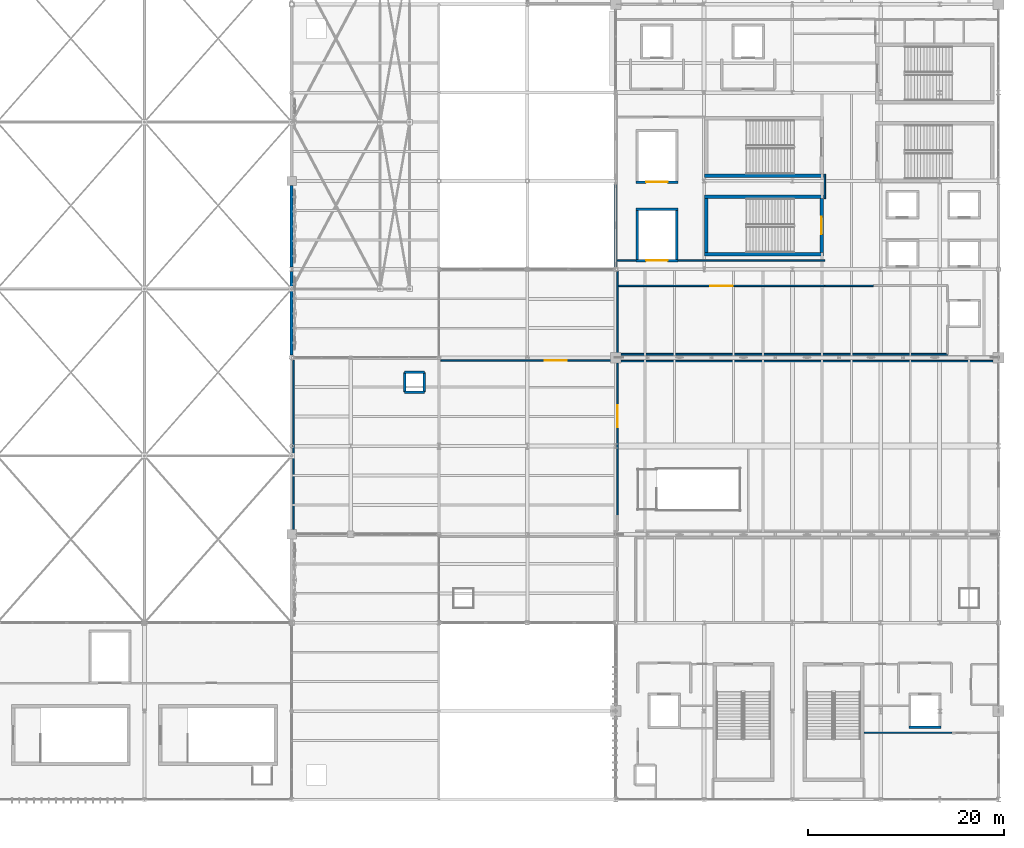
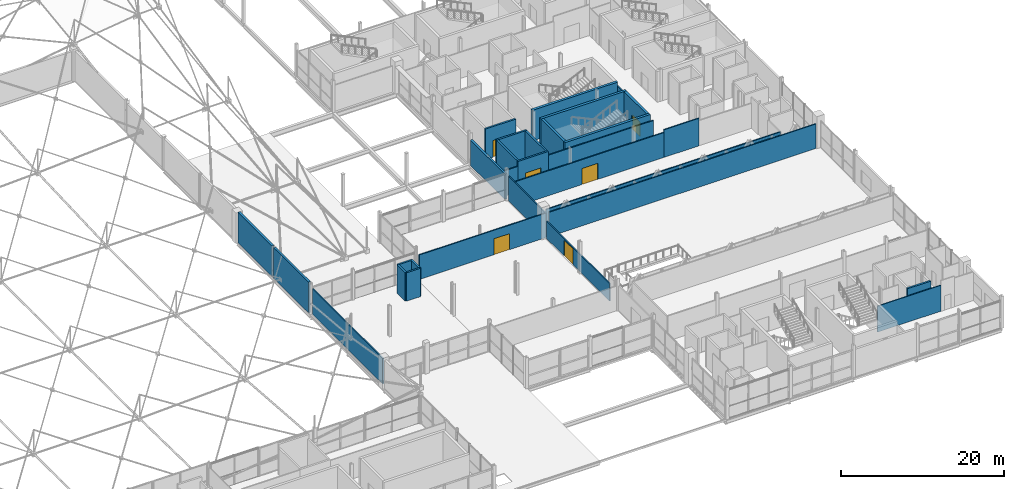
# One storey, part 197 of 224: 30 walls, 6 doors, 6 openings.
"""IFC4 building model written with IfcOpenShell, lengths in metres."""

from ifc_helpers import new_model, si_unit, direction, frame, frame_2d, origin, place, context, subcontext, project, spatial, rectangle, extrude, material, layer, layer_set, type_object, element, fill, save


model = new_model("IFC4")

# Units and contexts
model_context = context("Model", 3, precision=1e-05, world=origin(), true_north=direction((0.0, 1.0)))
body_context = subcontext(model_context, "Body", "Model", "MODEL_VIEW")
ifc_project = project(units=[si_unit("LENGTHUNIT", "METRE"), si_unit("AREAUNIT", "SQUARE_METRE"), si_unit("VOLUMEUNIT", "CUBIC_METRE"), si_unit("PLANEANGLEUNIT", "RADIAN"), si_unit("MASSUNIT", "GRAM", prefix="KILO")], contexts=[model_context])

# Site, building, storey
site_placement = place(None, origin())
site = spatial("IfcSite", under=ifc_project, at=site_placement, CompositionType="ELEMENT")
building_placement = place(site_placement, origin())
building = spatial("IfcBuilding", under=site, at=building_placement, Name="Qamarlyn Nura Convention Centre", CompositionType="ELEMENT")
storey_placement = place(building_placement, frame((0.0, 0.0, 10.800048828125)))
storey = spatial("IfcBuildingStorey", under=building, at=storey_placement, Name="L02", CompositionType="ELEMENT", Elevation=10.800048828125)

# Walls
ifc_material_1 = material(Name="Concrete C50/60", Category="concrete")
ifc_layer_1 = layer(ifc_material_1, 0.35009765625, Name="WT-CORE-350")
ifc_layer_set_1 = layer_set([ifc_layer_1], Name="Concrete C50/60")
wall_type_1 = type_object("IfcWallType", Name="WT-CORE-350", PredefinedType="SHEAR", material=ifc_layer_set_1)
for number, where, z_axis, x_axis, name in (
    (1, (162.050048828125, 55.52490234375, 0.0), (0.0, 0.0, 1.0), (1.0, 0.0, 0.0), "L02 stair core shear wall ST-11-S"),
    (2, (174.14990234375, 61.375, 0.0), (0.0, 0.0, 1.0), (-1.0, 0.0, 0.0), "L02 stair core shear wall ST-11-N"),
):
    element("IfcWall", number, at=place(storey_placement, frame(where, z_axis=z_axis, x_axis=x_axis)), inside=storey, type_object=wall_type_1, Name=name, PredefinedType="SHEAR", context=body_context, shape_type="SweptSolid", body=[
        extrude(rectangle(XDim=12.099853515625, YDim=0.35009765625, at=frame_2d((6.0498046875, 0.0))), origin(), (0.0, 0.0, 1.0), 4.599853515625),
    ])
wall_1_placement = place(storey_placement, frame((162.22509765625, 61.199951171875, 0.0), z_axis=(0.0, 0.0, 1.0), x_axis=(0.0, -1.0, 0.0)))
element("IfcWall", 3, at=wall_1_placement, inside=storey, type_object=wall_type_1, Name="L02 stair core shear wall ST-11-W", PredefinedType="SHEAR", context=body_context, shape_type="SweptSolid", body=[
    extrude(rectangle(XDim=5.5, YDim=0.35009765625, at=frame_2d((2.75, 0.0))), origin(), (0.0, 0.0, 1.0), 4.599853515625),
])

# Wall, opening, door
wall_2_placement = place(storey_placement, frame((173.97509765625, 55.699951171875, 0.0), z_axis=(0.0, 0.0, 1.0), x_axis=(0.0, 1.0, 0.0)))
wall_2 = element("IfcWall", 4, at=wall_2_placement, inside=storey, type_object=wall_type_1, Name="L02 stair core shear wall ST-11-E", PredefinedType="SHEAR", context=body_context, shape_type="SweptSolid", body=[
    extrude(rectangle(XDim=5.5, YDim=0.35009765625, at=frame_2d((2.75, 0.0))), origin(), (0.0, 0.0, 1.0), 4.599853515625),
])
opening_1_placement = place(wall_2_placement, frame((1.85009765625, 0.0, 0.0)))
opening_1 = element("IfcOpeningElement", 5, at=opening_1_placement, cuts=wall_2, Name="Opening DS-046", PredefinedType="OPENING", context=body_context, shape_type="SweptSolid", body=[
    extrude(rectangle(XDim=1.800048828125, YDim=2.199951171875, at=frame_2d((0.89990234375, 1.10009765625))), frame((0.0, 0.18505859375, 0.0), z_axis=(0.0, -1.0, 0.0), x_axis=(1.0, 0.0, 0.0)), (0.0, 0.0, 1.0), 0.3701171875),
])
ifc_material_2 = material(Name="Galvanised fire-rated hollow steel door", Category="steel")
door_type_1 = type_object("IfcDoorType", Name="DR-STAIR-1800", OperationType="DOUBLE_DOOR_SINGLE_SWING", PredefinedType="DOOR", material=ifc_material_2)
door_1_placement = place(opening_1_placement, origin())
door_1 = element("IfcDoor", 6, at=door_1_placement, inside=storey, type_object=door_type_1, Name="L02 exit stair door ST-11 (DS-046)", OperationType="DOUBLE_DOOR_SINGLE_SWING", OverallHeight=2.199951171875, OverallWidth=1.800048828125, PredefinedType="DOOR", context=body_context, shape_type="SweptSolid", body=[
    extrude(rectangle(XDim=1.800048828125, YDim=2.199951171875, at=frame_2d((0.89990234375, 1.10009765625))), frame((0.0, 0.02490234375, 0.0), z_axis=(0.0, -1.0, 0.0), x_axis=(1.0, 0.0, 0.0)), (0.0, 0.0, 1.0), 0.050048828125),
])
fill(opening_1, door_1)

# Walls
wall_3_placement = place(storey_placement, frame((162.050048828125, 63.52490234375, 0.0), z_axis=(0.0, 0.0, 1.0), x_axis=(1.0, 0.0, 0.0)))
element("IfcWall", 7, at=wall_3_placement, inside=storey, type_object=wall_type_1, Name="L02 stair core shear wall ST-12-S", PredefinedType="SHEAR", context=body_context, shape_type="SweptSolid", body=[
    extrude(rectangle(XDim=12.099853515625, YDim=0.35009765625, at=frame_2d((6.0498046875, 0.0))), origin(), (0.0, 0.0, 1.0), 4.599853515625),
])
ifc_material_3 = material(Name="Concrete C40/50 with UAE coastal limestone stone facing", Category="masonry")
ifc_layer_2 = layer(ifc_material_3, 0.300048828125, Name="WT-LIME-300")
ifc_layer_set_2 = layer_set([ifc_layer_2], Name="Concrete C40/50 with UAE coastal limestone stone facing")
wall_type_2 = type_object("IfcWallType", Name="WT-LIME-300", PredefinedType="SOLIDWALL", material=ifc_layer_set_2)
wall_4_placement = place(storey_placement, frame((120.0, 53.78759765625, 0.0), z_axis=(0.0, 0.0, 1.0), x_axis=(0.0, -1.0, 0.0)))
element("IfcWall", 8, at=wall_4_placement, inside=storey, type_object=wall_type_2, Name="L02 exterior facade wall WEXT-L02-1200-538-1200-453", PredefinedType="SOLIDWALL", context=body_context, shape_type="SweptSolid", body=[
    extrude(rectangle(XDim=8.53369140625, YDim=0.300048828125, at=frame_2d((4.266845703125, 0.0))), origin(), (0.0, 0.0, 1.0), 4.599853515625),
])
wall_5_placement = place(storey_placement, frame((120.0, 62.52490234375, 0.0), z_axis=(0.0, 0.0, 1.0), x_axis=(0.0, -1.0, 0.0)))
element("IfcWall", 9, at=wall_5_placement, inside=storey, type_object=wall_type_2, Name="L02 exterior facade wall WEXT-L02-1200-625-1200-542", PredefinedType="SOLIDWALL", context=body_context, shape_type="SweptSolid", body=[
    extrude(rectangle(XDim=8.3125, YDim=0.300048828125, at=frame_2d((4.15625, 0.0))), origin(), (0.0, 0.0, 1.0), 4.599853515625),
])
wall_6_placement = place(storey_placement, frame((153.0, 54.199951171875, 0.0), z_axis=(0.0, 0.0, 1.0), x_axis=(0.0, 1.0, 0.0)))
element("IfcWall", 10, at=wall_6_placement, inside=storey, type_object=wall_type_2, Name="L02 exterior facade wall WEXT-L02-1530-542-1530-627", PredefinedType="SOLIDWALL", context=body_context, shape_type="SweptSolid", body=[
    extrude(rectangle(XDim=8.45263671875, YDim=0.300048828125, at=frame_2d((4.226318359375, 0.0))), origin(), (0.0, 0.0, 1.0), 3.81201171875),
])
ifc_material_4 = material(Name="Acoustic double-stud gypsum partition")
ifc_layer_3 = layer(ifc_material_4, 0.135009765625, Name="WT-PART-135")
ifc_layer_set_3 = layer_set([ifc_layer_3], Name="Acoustic double-stud gypsum partition")
wall_type_3 = type_object("IfcWallType", Name="WT-PART-135", PredefinedType="PARTITIONING", material=ifc_layer_set_3)
wall_7_placement = place(storey_placement, frame((178.300048828125, 6.800048828125, 0.0), z_axis=(0.0, 0.0, 1.0), x_axis=(1.0, 0.0, 0.0)))
element("IfcWall", 11, at=wall_7_placement, inside=storey, type_object=wall_type_3, Name="L02 interior partition L02-MED-BRF1-5-1", PredefinedType="PARTITIONING", context=body_context, shape_type="SweptSolid", body=[
    extrude(rectangle(XDim=8.969970703125, YDim=0.135009765625, at=frame_2d((4.48486328125, 0.0))), origin(), (0.0, 0.0, 1.0), 3.889892578125),
])
ifc_material_5 = material(Name="Fire-rated acoustic gypsum board EI 60")
ifc_layer_4 = layer(ifc_material_5, 0.159912109375, Name="WT-PART-160")
ifc_layer_set_4 = layer_set([ifc_layer_4], Name="Fire-rated acoustic gypsum board EI 60")
wall_type_4 = type_object("IfcWallType", Name="WT-PART-160", PredefinedType="PARTITIONING", material=ifc_layer_set_4)
wall_8_placement = place(storey_placement, frame((153.199951171875, 53.798095703125, 0.0), z_axis=(0.0, 0.0, 1.0), x_axis=(0.0, -1.0, 0.0)))
element("IfcWall", 12, at=wall_8_placement, inside=storey, type_object=wall_type_4, Name="L02 interior partition L02-BLR-NTH-19-1", PredefinedType="PARTITIONING", context=body_context, shape_type="SweptSolid", body=[
    extrude(rectangle(XDim=9.09814453125, YDim=0.159912109375, at=frame_2d((4.549072265625, 0.0))), origin(), (0.0, 0.0, 1.0), 3.6728515625),
])

# Wall, opening, door
wall_9_placement = place(storey_placement, frame((153.199951171875, 44.699951171875, 0.0), z_axis=(0.0, 0.0, 1.0), x_axis=(-1.0, 0.0, 0.0)))
wall_9 = element("IfcWall", 13, at=wall_9_placement, inside=storey, type_object=wall_type_4, Name="L02 interior partition L02-BLR-NTH-20-1", PredefinedType="PARTITIONING", context=body_context, shape_type="SweptSolid", body=[
    extrude(rectangle(XDim=18.0, YDim=0.159912109375, at=frame_2d((9.0, 0.0))), origin(), (0.0, 0.0, 1.0), 3.6728515625),
])
opening_2_placement = place(wall_9_placement, frame((5.175048828125, 0.0, 0.0)))
opening_2 = element("IfcOpeningElement", 14, at=opening_2_placement, cuts=wall_9, Name="Opening D-L02-183", PredefinedType="OPENING", context=body_context, shape_type="SweptSolid", body=[
    extrude(rectangle(XDim=2.25, YDim=2.39990234375, at=frame_2d((1.125, 1.199951171875))), frame((0.0, 0.08984375, 0.0), z_axis=(0.0, -1.0, 0.0), x_axis=(1.0, 0.0, 0.0)), (0.0, 0.0, 1.0), 0.179931640625),
])
ifc_material_6 = material(Name="Acoustic walnut timber leaf", Category="wood")
door_type_2 = type_object("IfcDoorType", Name="DR-HALL-2250", OperationType="DOUBLE_DOOR_SINGLE_SWING", PredefinedType="DOOR", material=ifc_material_6)
door_2_placement = place(opening_2_placement, origin())
door_2 = element("IfcDoor", 15, at=door_2_placement, inside=storey, type_object=door_type_2, Name="L02 Grand Ballroom North Salon door D-L02-183", OperationType="DOUBLE_DOOR_SINGLE_SWING", OverallHeight=2.39990234375, OverallWidth=2.25, PredefinedType="DOOR", context=body_context, shape_type="SweptSolid", body=[
    extrude(rectangle(XDim=2.25, YDim=2.39990234375, at=frame_2d((1.125, 1.199951171875))), frame((0.0, 0.02490234375, 0.0), z_axis=(0.0, -1.0, 0.0), x_axis=(1.0, 0.0, 0.0)), (0.0, 0.0, 1.0), 0.050048828125),
])
fill(opening_2, door_2)

# Wall
wall_10_placement = place(storey_placement, frame((186.800048828125, 45.35009765625, 0.0), z_axis=(0.0, 0.0, 1.0), x_axis=(-1.0, 0.0, 0.0)))
element("IfcWall", 16, at=wall_10_placement, inside=storey, type_object=wall_type_4, Name="L02 interior partition L02-BLR-EAST-2-1", PredefinedType="PARTITIONING", context=body_context, shape_type="SweptSolid", body=[
    extrude(rectangle(XDim=33.239990234375, YDim=0.159912109375, at=frame_2d((16.6201171875, 0.0))), origin(), (0.0, 0.0, 1.0), 3.6728515625),
])

# Wall, opening, door
wall_11_placement = place(storey_placement, frame((153.239990234375, 52.31005859375, 0.0), z_axis=(0.0, 0.0, 1.0), x_axis=(1.0, 0.0, 0.0)))
wall_11 = element("IfcWall", 17, at=wall_11_placement, inside=storey, type_object=wall_type_4, Name="L02 interior partition L02-BLR-EAST-4-1", PredefinedType="PARTITIONING", context=body_context, shape_type="SweptSolid", body=[
    extrude(rectangle(XDim=21.070068359375, YDim=0.159912109375, at=frame_2d((10.53515625, 0.0))), origin(), (0.0, 0.0, 1.0), 3.72998046875),
])
opening_3_placement = place(wall_11_placement, frame((9.409912109375, 0.0, 0.0)))
opening_3 = element("IfcOpeningElement", 18, at=opening_3_placement, cuts=wall_11, Name="Opening D-L02-186", PredefinedType="OPENING", context=body_context, shape_type="SweptSolid", body=[
    extrude(rectangle(XDim=2.25, YDim=2.39990234375, at=frame_2d((1.125, 1.199951171875))), frame((0.0, 0.08984375, 0.0), z_axis=(0.0, -1.0, 0.0), x_axis=(1.0, 0.0, 0.0)), (0.0, 0.0, 1.0), 0.179931640625),
])
door_3_placement = place(opening_3_placement, origin())
door_3 = element("IfcDoor", 19, at=door_3_placement, inside=storey, type_object=door_type_2, Name="L02 Grand Ballroom East Salon door D-L02-186", OperationType="DOUBLE_DOOR_SINGLE_SWING", OverallHeight=2.39990234375, OverallWidth=2.25, PredefinedType="DOOR", context=body_context, shape_type="SweptSolid", body=[
    extrude(rectangle(XDim=2.25, YDim=2.39990234375, at=frame_2d((1.125, 1.199951171875))), frame((0.0, 0.02490234375, 0.0), z_axis=(0.0, -1.0, 0.0), x_axis=(1.0, 0.0, 0.0)), (0.0, 0.0, 1.0), 0.050048828125),
])
fill(opening_3, door_3)

# Walls
wall_12_placement = place(storey_placement, frame((174.31005859375, 52.31005859375, 0.0), z_axis=(0.0, 0.0, 1.0), x_axis=(1.0, 0.0, 0.0)))
element("IfcWall", 20, at=wall_12_placement, inside=storey, type_object=wall_type_4, Name="L02 interior partition L02-BLR-EAST-17-1", PredefinedType="PARTITIONING", context=body_context, shape_type="SweptSolid", body=[
    extrude(rectangle(XDim=4.93994140625, YDim=0.159912109375, at=frame_2d((2.469970703125, 0.0))), origin(), (0.0, 0.0, 1.0), 4.1279296875),
])
wall_13_placement = place(storey_placement, frame((174.31005859375, 63.699951171875, 0.0), z_axis=(0.0, 0.0, 1.0), x_axis=(0.0, -1.0, 0.0)))
element("IfcWall", 21, at=wall_13_placement, inside=storey, type_object=wall_type_4, Name="L02 interior partition L02-PAN-BNQ-60-2", PredefinedType="PARTITIONING", context=body_context, shape_type="SweptSolid", body=[
    extrude(rectangle(XDim=2.5, YDim=0.159912109375, at=frame_2d((1.25, 0.0))), origin(), (0.0, 0.0, 1.0), 3.81201171875),
])
wall_14_placement = place(storey_placement, frame((174.31005859375, 54.889892578125, 0.0), z_axis=(0.0, 0.0, 1.0), x_axis=(-1.0, 0.0, 0.0)))
element("IfcWall", 22, at=wall_14_placement, inside=storey, type_object=wall_type_4, Name="L02 interior partition L02-PAN-BNQ-61-1", PredefinedType="PARTITIONING", context=body_context, shape_type="SweptSolid", body=[
    extrude(rectangle(XDim=14.9599609375, YDim=0.159912109375, at=frame_2d((7.47998046875, 0.0))), origin(), (0.0, 0.0, 1.0), 3.973876953125),
])
wall_15_placement = place(storey_placement, frame((155.050048828125, 54.889892578125, 0.0), z_axis=(0.0, 0.0, 1.0), x_axis=(-1.0, 0.0, 0.0)))
element("IfcWall", 23, at=wall_15_placement, inside=storey, type_object=wall_type_4, Name="L02 interior partition L02-PAN-BNQ-107-1", PredefinedType="PARTITIONING", context=body_context, shape_type="SweptSolid", body=[
    extrude(rectangle(XDim=1.900146484375, YDim=0.159912109375, at=frame_2d((0.9501953125, 0.0))), origin(), (0.0, 0.0, 1.0), 3.81201171875),
])

# Wall, opening, door
wall_16_placement = place(storey_placement, frame((153.199951171875, 44.43994140625, 0.0), z_axis=(0.0, 0.0, 1.0), x_axis=(0.0, -1.0, 0.0)))
wall_16 = element("IfcWall", 24, at=wall_16_placement, inside=storey, type_object=wall_type_4, Name="L02 interior partition L02-BLR-FOY-18-1", PredefinedType="PARTITIONING", context=body_context, shape_type="SweptSolid", body=[
    extrude(rectangle(XDim=15.5, YDim=0.159912109375, at=frame_2d((7.75, 0.0))), origin(), (0.0, 0.0, 1.0), 2.5849609375),
])
opening_4_placement = place(wall_16_placement, frame((4.300048828125, 0.0, 0.0)))
opening_4 = element("IfcOpeningElement", 25, at=opening_4_placement, cuts=wall_16, Name="Opening D-L02-190", PredefinedType="OPENING", context=body_context, shape_type="SweptSolid", body=[
    extrude(rectangle(XDim=2.25, YDim=2.3798828125, at=frame_2d((1.125, 1.18994140625))), frame((0.0, 0.08984375, 0.0), z_axis=(0.0, -1.0, 0.0), x_axis=(1.0, 0.0, 0.0)), (0.0, 0.0, 1.0), 0.179931640625),
])
door_4_placement = place(opening_4_placement, origin())
door_4 = element("IfcDoor", 26, at=door_4_placement, inside=storey, type_object=door_type_2, Name="L02 Ballroom Foyer door D-L02-190", OperationType="DOUBLE_DOOR_SINGLE_SWING", OverallHeight=2.3798828125, OverallWidth=2.25, PredefinedType="DOOR", context=body_context, shape_type="SweptSolid", body=[
    extrude(rectangle(XDim=2.25, YDim=2.3798828125, at=frame_2d((1.125, 1.18994140625))), frame((0.0, 0.02490234375, 0.0), z_axis=(0.0, -1.0, 0.0), x_axis=(1.0, 0.0, 0.0)), (0.0, 0.0, 1.0), 0.050048828125),
])
fill(opening_4, door_4)

# Walls
wall_17_placement = place(storey_placement, frame((120.199951171875, 27.489990234375, 0.0), z_axis=(0.0, 0.0, 1.0), x_axis=(0.0, 1.0, 0.0)))
element("IfcWall", 27, at=wall_17_placement, inside=storey, type_object=wall_type_4, Name="L02 interior partition L02-BLR-FOY-72-1", PredefinedType="PARTITIONING", context=body_context, shape_type="SweptSolid", body=[
    extrude(rectangle(XDim=17.25390625, YDim=0.159912109375, at=frame_2d((8.626953125, 0.0))), origin(), (0.0, 0.0, 1.0), 3.8369140625),
])
wall_18_placement = place(storey_placement, frame((153.56005859375, 44.64990234375, 0.0), z_axis=(0.0, 0.0, 1.0), x_axis=(1.0, 0.0, 0.0)))
element("IfcWall", 28, at=wall_18_placement, inside=storey, type_object=wall_type_4, Name="L02 interior partition L02-BLR-MAIN-22-1", PredefinedType="PARTITIONING", context=body_context, shape_type="SweptSolid", body=[
    extrude(rectangle(XDim=37.8798828125, YDim=0.159912109375, at=frame_2d((18.93994140625, 0.0))), origin(), (0.0, 0.0, 1.0), 3.6728515625),
])
ifc_material_7 = material(Name="Fire-rated acoustic gypsum board and mineral wool EI 120")
ifc_layer_5 = layer(ifc_material_7, 0.25, Name="WT-SHAFT-250")
ifc_layer_set_5 = layer_set([ifc_layer_5], Name="Fire-rated acoustic gypsum board and mineral wool EI 120")
wall_type_5 = type_object("IfcWallType", Name="WT-SHAFT-250", PredefinedType="SOLIDWALL", material=ifc_layer_set_5)
wall_19_placement = place(storey_placement, frame((182.85009765625, 7.375, 0.0), z_axis=(0.0, 0.0, 1.0), x_axis=(1.0, 0.0, 0.0)))
element("IfcWall", 29, at=wall_19_placement, inside=storey, type_object=wall_type_5, Name="L02 lift shaft enclosure wall FFL-02 -y", PredefinedType="SOLIDWALL", context=body_context, shape_type="SweptSolid", body=[
    extrude(rectangle(XDim=3.2998046875, YDim=0.25, at=frame_2d((1.64990234375, 0.0))), origin(), (0.0, 0.0, 1.0), 4.599853515625),
])

# Wall, opening, door
wall_20_placement = place(storey_placement, frame((155.050048828125, 54.875, 0.0), z_axis=(0.0, 0.0, 1.0), x_axis=(1.0, 0.0, 0.0)))
wall_20 = element("IfcWall", 30, at=wall_20_placement, inside=storey, type_object=wall_type_5, Name="L02 lift shaft enclosure wall FL-03 -y", PredefinedType="SOLIDWALL", context=body_context, shape_type="SweptSolid", body=[
    extrude(rectangle(XDim=4.300048828125, YDim=0.25, at=frame_2d((2.14990234375, 0.0))), origin(), (0.0, 0.0, 1.0), 4.599853515625),
])
opening_5_placement = place(wall_20_placement, frame((1.050048828125, 0.0, 0.0)))
opening_5 = element("IfcOpeningElement", 31, at=opening_5_placement, cuts=wall_20, Name="Opening LD-FL-03-L02", PredefinedType="OPENING", context=body_context, shape_type="SweptSolid", body=[
    extrude(rectangle(XDim=2.199951171875, YDim=2.5, at=frame_2d((1.10009765625, 1.25))), frame((0.0, 0.135009765625, 0.0), z_axis=(0.0, -1.0, 0.0), x_axis=(1.0, 0.0, 0.0)), (0.0, 0.0, 1.0), 0.27001953125),
])
door_type_3 = type_object("IfcDoorType", Name="DR-LD-FRT", OperationType="DOUBLE_DOOR_SLIDING", PredefinedType="DOOR", material=ifc_material_2)
door_5_placement = place(opening_5_placement, origin())
door_5 = element("IfcDoor", 32, at=door_5_placement, inside=storey, type_object=door_type_3, Name="Lift landing door LD-FL-03-L02", OperationType="DOUBLE_DOOR_SLIDING", OverallHeight=2.5, OverallWidth=2.199951171875, PredefinedType="DOOR", context=body_context, shape_type="SweptSolid", body=[
    extrude(rectangle(XDim=2.199951171875, YDim=2.5, at=frame_2d((1.10009765625, 1.25))), frame((0.0, 0.02490234375, 0.0), z_axis=(0.0, -1.0, 0.0), x_axis=(1.0, 0.0, 0.0)), (0.0, 0.0, 1.0), 0.050048828125),
])
fill(opening_5, door_5)

# Walls
wall_21_placement = place(storey_placement, frame((159.35009765625, 60.125, 0.0), z_axis=(0.0, 0.0, 1.0), x_axis=(-1.0, 0.0, 0.0)))
element("IfcWall", 33, at=wall_21_placement, inside=storey, type_object=wall_type_5, Name="L02 lift shaft enclosure wall FL-03 +y", PredefinedType="SOLIDWALL", context=body_context, shape_type="SweptSolid", body=[
    extrude(rectangle(XDim=4.300048828125, YDim=0.25, at=frame_2d((2.14990234375, 0.0))), origin(), (0.0, 0.0, 1.0), 4.599853515625),
])
for number, where, z_axis, x_axis, name in (
    (34, (155.175048828125, 60.0, 0.0), (0.0, 0.0, 1.0), (0.0, -1.0, 0.0), "L02 lift shaft enclosure wall FL-03 -x"),
    (35, (159.22509765625, 55.0, 0.0), (0.0, 0.0, 1.0), (0.0, 1.0, 0.0), "L02 lift shaft enclosure wall FL-03 +x"),
):
    element("IfcWall", number, at=place(storey_placement, frame(where, z_axis=z_axis, x_axis=x_axis)), inside=storey, type_object=wall_type_5, Name=name, PredefinedType="SOLIDWALL", context=body_context, shape_type="SweptSolid", body=[
        extrude(rectangle(XDim=5.0, YDim=0.25, at=frame_2d((2.5, 0.0))), origin(), (0.0, 0.0, 1.0), 4.599853515625),
    ])

# Wall, opening, door
wall_22_placement = place(storey_placement, frame((155.050048828125, 62.875, 0.0), z_axis=(0.0, 0.0, 1.0), x_axis=(1.0, 0.0, 0.0)))
wall_22 = element("IfcWall", 36, at=wall_22_placement, inside=storey, type_object=wall_type_5, Name="L02 lift shaft enclosure wall FL-04 -y", PredefinedType="SOLIDWALL", context=body_context, shape_type="SweptSolid", body=[
    extrude(rectangle(XDim=4.300048828125, YDim=0.25, at=frame_2d((2.14990234375, 0.0))), origin(), (0.0, 0.0, 1.0), 4.599853515625),
])
opening_6_placement = place(wall_22_placement, frame((1.050048828125, 0.0, 0.0)))
opening_6 = element("IfcOpeningElement", 37, at=opening_6_placement, cuts=wall_22, Name="Opening LD-FL-04-L02", PredefinedType="OPENING", context=body_context, shape_type="SweptSolid", body=[
    extrude(rectangle(XDim=2.199951171875, YDim=2.5, at=frame_2d((1.10009765625, 1.25))), frame((0.0, 0.135009765625, 0.0), z_axis=(0.0, -1.0, 0.0), x_axis=(1.0, 0.0, 0.0)), (0.0, 0.0, 1.0), 0.27001953125),
])
door_6_placement = place(opening_6_placement, origin())
door_6 = element("IfcDoor", 38, at=door_6_placement, inside=storey, type_object=door_type_3, Name="Lift landing door LD-FL-04-L02", OperationType="DOUBLE_DOOR_SLIDING", OverallHeight=2.5, OverallWidth=2.199951171875, PredefinedType="DOOR", context=body_context, shape_type="SweptSolid", body=[
    extrude(rectangle(XDim=2.199951171875, YDim=2.5, at=frame_2d((1.10009765625, 1.25))), frame((0.0, 0.02490234375, 0.0), z_axis=(0.0, -1.0, 0.0), x_axis=(1.0, 0.0, 0.0)), (0.0, 0.0, 1.0), 0.050048828125),
])
fill(opening_6, door_6)

# Walls
for number, where, z_axis, x_axis, name in (
    (39, (131.5, 41.5, 0.0), (0.0, 0.0, 1.0), (1.0, 0.0, 0.0), "L02 MEP riser shaft wall 26-S"),
    (40, (133.5, 43.5, 0.0), (0.0, 0.0, 1.0), (-1.0, 0.0, 0.0), "L02 MEP riser shaft wall 26-N"),
    (41, (131.5, 43.5, 0.0), (0.0, 0.0, 1.0), (0.0, -1.0, 0.0), "L02 MEP riser shaft wall 26-W"),
    (42, (133.5, 41.5, 0.0), (0.0, 0.0, 1.0), (0.0, 1.0, 0.0), "L02 MEP riser shaft wall 26-E"),
):
    element("IfcWall", number, at=place(storey_placement, frame(where, z_axis=z_axis, x_axis=x_axis)), inside=storey, type_object=wall_type_5, Name=name, PredefinedType="SOLIDWALL", context=body_context, shape_type="SweptSolid", body=[
        extrude(rectangle(XDim=2.0, YDim=0.25, at=frame_2d((1.0, 0.0))), origin(), (0.0, 0.0, 1.0), 4.25),
    ])

save(model, "model.ifc")
